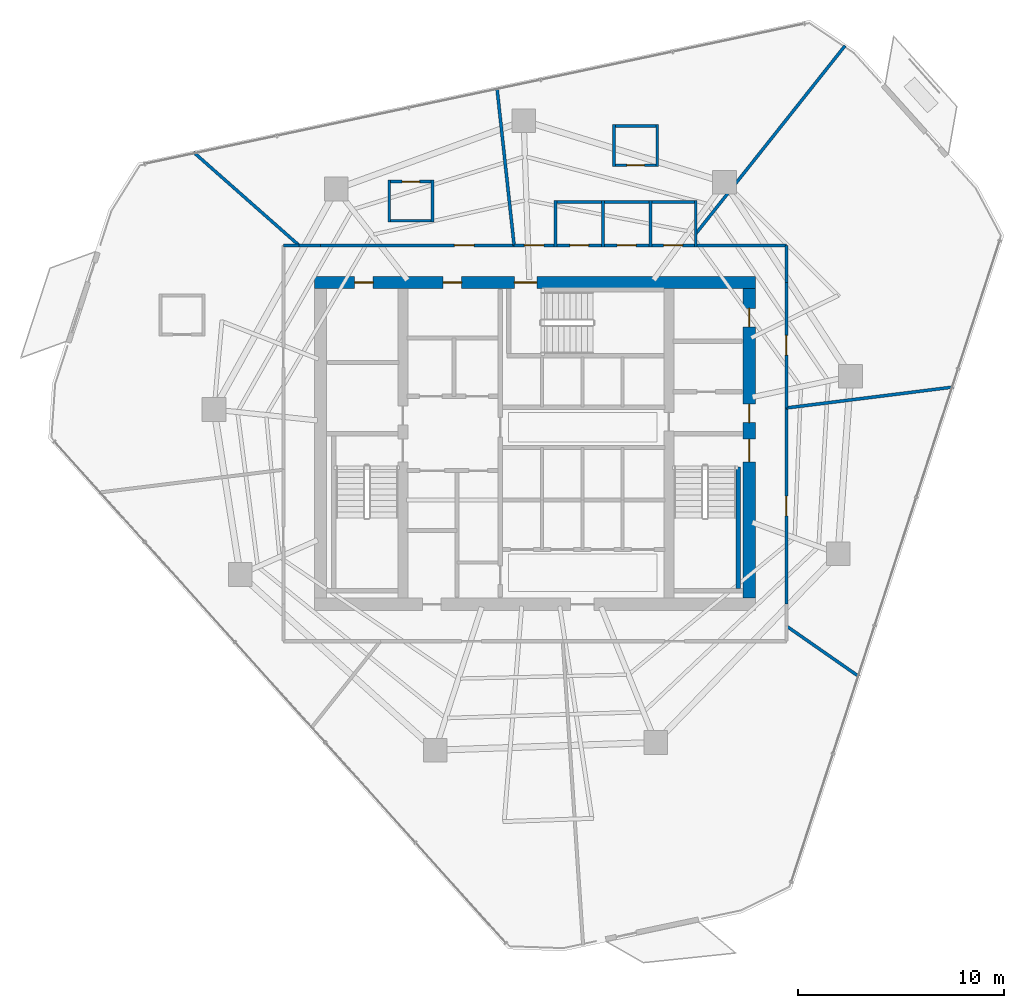
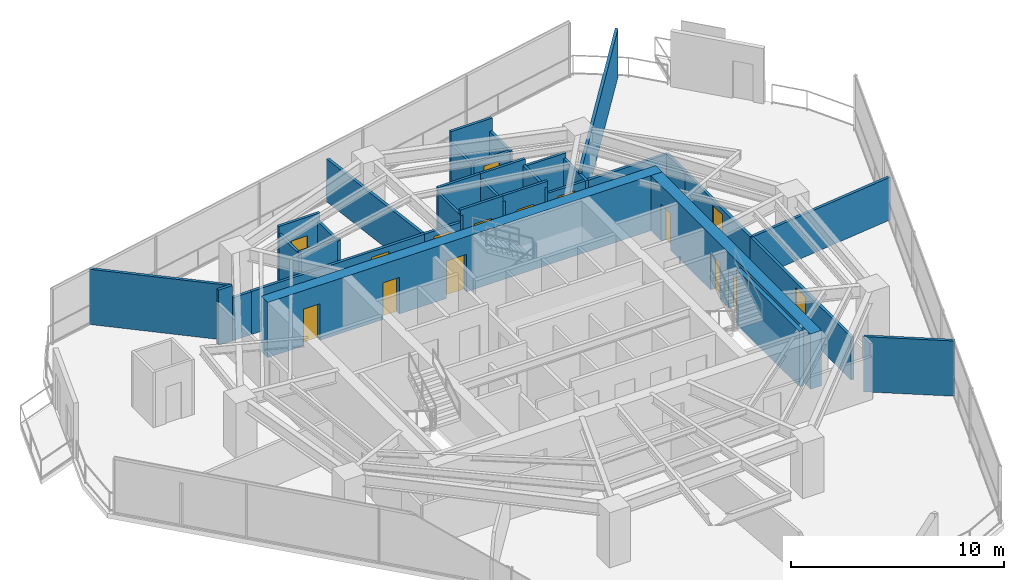
# One storey, part 24 of 27: 34 walls, 15 doors, 15 openings.
"""IFC4 building model written with IfcOpenShell, lengths in metres."""

from ifc_helpers import new_model, si_unit, direction, frame, frame_2d, origin, place, context, subcontext, project, spatial, rectangle, extrude, material, layer, layer_set, type_object, element, fill, save


model = new_model("IFC4")

# Units and contexts
model_context = context("Model", 3, precision=1e-05, world=origin(), true_north=direction((0.0, 1.0)))
body_context = subcontext(model_context, "Body", "Model", "MODEL_VIEW")
ifc_project = project(units=[si_unit("LENGTHUNIT", "METRE"), si_unit("AREAUNIT", "SQUARE_METRE"), si_unit("VOLUMEUNIT", "CUBIC_METRE"), si_unit("PLANEANGLEUNIT", "RADIAN"), si_unit("MASSUNIT", "GRAM", prefix="KILO")], contexts=[model_context])

# Site, building, storey
site_placement = place(None, origin())
site = spatial("IfcSite", under=ifc_project, at=site_placement, CompositionType="ELEMENT")
building_placement = place(site_placement, origin())
building = spatial("IfcBuilding", under=site, at=building_placement, Name="Qarnah Convention Tower", CompositionType="ELEMENT")
storey_placement = place(building_placement, frame((0.0, 0.0, 110.85009765625)))
storey = spatial("IfcBuildingStorey", under=building, at=storey_placement, Name="L29", CompositionType="ELEMENT", Elevation=110.85009765625)

# Wall, openings, doors
ifc_material_1 = material(Name="Concrete C60/75", Category="concrete")
ifc_layer_1 = layer(ifc_material_1, 0.60009765625)
ifc_layer_set_1 = layer_set([ifc_layer_1], Name="Concrete C60/75")
wall_type_1 = type_object("IfcWallType", Name="WL-CORE-600", PredefinedType="SHEAR", material=ifc_layer_set_1)
wall_1_placement = place(storey_placement, frame((26.5, 34.199951171875, 0.0), z_axis=(0.0, 0.0, 1.0), x_axis=(1.0, 0.0, 0.0)))
wall_1 = element("IfcWall", 1, at=wall_1_placement, inside=storey, type_object=wall_type_1, Name="L29 core north shear wall", PredefinedType="SHEAR", context=body_context, shape_type="SweptSolid", body=[
    extrude(rectangle(XDim=21.39990234375, YDim=0.60009765625, at=frame_2d((10.699951171875, 0.0))), origin(), (0.0, 0.0, 1.0), 3.169921875),
])
opening_1_placement = place(wall_1_placement, frame((9.699951171875, 0.0, 0.0)))
opening_1 = element("IfcOpeningElement", 2, at=opening_1_placement, cuts=wall_1, Name="Opening D-2903", PredefinedType="OPENING", context=body_context, shape_type="SweptSolid", body=[
    extrude(rectangle(XDim=1.10009765625, YDim=2.14990234375, at=frame_2d((0.550048828125, 1.074951171875))), frame((0.0, 0.31005859375, 0.0), z_axis=(0.0, -1.0, 0.0), x_axis=(1.0, 0.0, 0.0)), (0.0, 0.0, 1.0), 0.6201171875),
])
opening_2_placement = place(wall_1_placement, frame((1.949951171875, 0.0, 0.0)))
opening_2 = element("IfcOpeningElement", 3, at=opening_2_placement, cuts=wall_1, Name="Opening D-2909", PredefinedType="OPENING", context=body_context, shape_type="SweptSolid", body=[
    extrude(rectangle(XDim=0.89990234375, YDim=2.10009765625, at=frame_2d((0.449951171875, 1.050048828125))), frame((0.0, 0.31005859375, 0.0), z_axis=(0.0, -1.0, 0.0), x_axis=(1.0, 0.0, 0.0)), (0.0, 0.0, 1.0), 0.6201171875),
])
opening_3_placement = place(wall_1_placement, frame((6.25, 0.0, 0.0)))
opening_3 = element("IfcOpeningElement", 4, at=opening_3_placement, cuts=wall_1, Name="Opening D-2910", PredefinedType="OPENING", context=body_context, shape_type="SweptSolid", body=[
    extrude(rectangle(XDim=0.89990234375, YDim=2.10009765625, at=frame_2d((0.449951171875, 1.050048828125))), frame((0.0, 0.31005859375, 0.0), z_axis=(0.0, -1.0, 0.0), x_axis=(1.0, 0.0, 0.0)), (0.0, 0.0, 1.0), 0.6201171875),
])
ifc_material_2 = material(Name="Structural steel S355JR", Category="steel")
door_type_1 = type_object("IfcDoorType", Name="DT-RISER-900", OperationType="NOTDEFINED", PredefinedType="DOOR", material=ifc_material_2)
door_1_placement = place(opening_2_placement, origin())
door_1 = element("IfcDoor", 5, at=door_1_placement, inside=storey, type_object=door_type_1, Name="Door D-2909", OperationType="SINGLE_SWING_LEFT", OverallHeight=2.10009765625, OverallWidth=0.89990234375, PredefinedType="DOOR", context=body_context, shape_type="SweptSolid", body=[
    extrude(rectangle(XDim=0.89990234375, YDim=2.10009765625, at=frame_2d((0.449951171875, 1.050048828125))), frame((0.0, 0.02490234375, 0.0), z_axis=(0.0, -1.0, 0.0), x_axis=(1.0, 0.0, 0.0)), (0.0, 0.0, 1.0), 0.050048828125),
])
fill(opening_2, door_1)
door_2_placement = place(opening_3_placement, origin())
door_2 = element("IfcDoor", 6, at=door_2_placement, inside=storey, type_object=door_type_1, Name="Door D-2910", OperationType="SINGLE_SWING_RIGHT", OverallHeight=2.10009765625, OverallWidth=0.89990234375, PredefinedType="DOOR", context=body_context, shape_type="SweptSolid", body=[
    extrude(rectangle(XDim=0.89990234375, YDim=2.10009765625, at=frame_2d((0.449951171875, 1.050048828125))), frame((0.0, 0.02490234375, 0.0), z_axis=(0.0, -1.0, 0.0), x_axis=(1.0, 0.0, 0.0)), (0.0, 0.0, 1.0), 0.050048828125),
])
fill(opening_3, door_2)
door_type_2 = type_object("IfcDoorType", Name="DT-STAIR-1100", OperationType="NOTDEFINED", PredefinedType="DOOR", material=ifc_material_2)
door_3_placement = place(opening_1_placement, origin())
door_3 = element("IfcDoor", 7, at=door_3_placement, inside=storey, type_object=door_type_2, Name="Door D-2903", OperationType="SINGLE_SWING_LEFT", OverallHeight=2.14990234375, OverallWidth=1.10009765625, PredefinedType="DOOR", context=body_context, shape_type="SweptSolid", body=[
    extrude(rectangle(XDim=1.10009765625, YDim=2.14990234375, at=frame_2d((0.550048828125, 1.074951171875))), frame((0.0, 0.02490234375, 0.0), z_axis=(0.0, -1.0, 0.0), x_axis=(1.0, 0.0, 0.0)), (0.0, 0.0, 1.0), 0.050048828125),
])
fill(opening_1, door_3)

wall_2_placement = place(storey_placement, frame((47.60009765625, 18.89990234375, 0.0), z_axis=(0.0, 0.0, 1.0), x_axis=(0.0, 1.0, 0.0)))
wall_2 = element("IfcWall", 8, at=wall_2_placement, inside=storey, type_object=wall_type_1, Name="L29 core east shear wall", PredefinedType="SHEAR", context=body_context, shape_type="SweptSolid", body=[
    extrude(rectangle(XDim=15.0, YDim=0.60009765625, at=frame_2d((7.5, 0.0))), origin(), (0.0, 0.0, 1.0), 3.169921875),
])
opening_4_placement = place(wall_2_placement, frame((6.60009765625, 0.0, 0.0)))
opening_4 = element("IfcOpeningElement", 9, at=opening_4_placement, cuts=wall_2, Name="Opening D-2902", PredefinedType="OPENING", context=body_context, shape_type="SweptSolid", body=[
    extrude(rectangle(XDim=1.10009765625, YDim=2.14990234375, at=frame_2d((0.550048828125, 1.074951171875))), frame((0.0, 0.31005859375, 0.0), z_axis=(0.0, -1.0, 0.0), x_axis=(1.0, 0.0, 0.0)), (0.0, 0.0, 1.0), 0.6201171875),
])
opening_5_placement = place(wall_2_placement, frame((8.5, 0.0, 0.0)))
opening_5 = element("IfcOpeningElement", 10, at=opening_5_placement, cuts=wall_2, Name="Opening D-2906", PredefinedType="OPENING", context=body_context, shape_type="SweptSolid", body=[
    extrude(rectangle(XDim=0.89990234375, YDim=2.10009765625, at=frame_2d((0.449951171875, 1.050048828125))), frame((0.0, 0.31005859375, 0.0), z_axis=(0.0, -1.0, 0.0), x_axis=(1.0, 0.0, 0.0)), (0.0, 0.0, 1.0), 0.6201171875),
])
opening_6_placement = place(wall_2_placement, frame((13.14990234375, 0.0, 0.0)))
opening_6 = element("IfcOpeningElement", 11, at=opening_6_placement, cuts=wall_2, Name="Opening D-2912", PredefinedType="OPENING", context=body_context, shape_type="SweptSolid", body=[
    extrude(rectangle(XDim=0.89990234375, YDim=2.10009765625, at=frame_2d((0.449951171875, 1.050048828125))), frame((0.0, 0.31005859375, 0.0), z_axis=(0.0, -1.0, 0.0), x_axis=(1.0, 0.0, 0.0)), (0.0, 0.0, 1.0), 0.6201171875),
])
door_4_placement = place(opening_5_placement, origin())
door_4 = element("IfcDoor", 12, at=door_4_placement, inside=storey, type_object=door_type_1, Name="Door D-2906", OperationType="SINGLE_SWING_RIGHT", OverallHeight=2.10009765625, OverallWidth=0.89990234375, PredefinedType="DOOR", context=body_context, shape_type="SweptSolid", body=[
    extrude(rectangle(XDim=0.89990234375, YDim=2.10009765625, at=frame_2d((0.449951171875, 1.050048828125))), frame((0.0, 0.02490234375, 0.0), z_axis=(0.0, -1.0, 0.0), x_axis=(1.0, 0.0, 0.0)), (0.0, 0.0, 1.0), 0.050048828125),
])
fill(opening_5, door_4)
door_5_placement = place(opening_6_placement, origin())
door_5 = element("IfcDoor", 13, at=door_5_placement, inside=storey, type_object=door_type_1, Name="Door D-2912", OperationType="SINGLE_SWING_RIGHT", OverallHeight=2.10009765625, OverallWidth=0.89990234375, PredefinedType="DOOR", context=body_context, shape_type="SweptSolid", body=[
    extrude(rectangle(XDim=0.89990234375, YDim=2.10009765625, at=frame_2d((0.449951171875, 1.050048828125))), frame((0.0, 0.02490234375, 0.0), z_axis=(0.0, -1.0, 0.0), x_axis=(1.0, 0.0, 0.0)), (0.0, 0.0, 1.0), 0.050048828125),
])
fill(opening_6, door_5)
door_6_placement = place(opening_4_placement, origin())
door_6 = element("IfcDoor", 14, at=door_6_placement, inside=storey, type_object=door_type_2, Name="Door D-2902", OperationType="SINGLE_SWING_RIGHT", OverallHeight=2.14990234375, OverallWidth=1.10009765625, PredefinedType="DOOR", context=body_context, shape_type="SweptSolid", body=[
    extrude(rectangle(XDim=1.10009765625, YDim=2.14990234375, at=frame_2d((0.550048828125, 1.074951171875))), frame((0.0, 0.02490234375, 0.0), z_axis=(0.0, -1.0, 0.0), x_axis=(1.0, 0.0, 0.0)), (0.0, 0.0, 1.0), 0.050048828125),
])
fill(opening_4, door_6)

# Walls
ifc_layer_2 = layer(ifc_material_1, 0.219970703125)
ifc_layer_set_2 = layer_set([ifc_layer_2], Name="Concrete C60/75")
wall_type_2 = type_object("IfcWallType", Name="WL-CORE-STAIR-220", PredefinedType="SHEAR", material=ifc_layer_set_2)
wall_3_placement = place(storey_placement, frame((47.06005859375, 19.35009765625, 0.0), z_axis=(0.0, 0.0, 1.0), x_axis=(0.0, 1.0, 0.0)))
element("IfcWall", 15, at=wall_3_placement, inside=storey, type_object=wall_type_2, Name="L29 stair shaft shear wall SW-L29-ST2E", PredefinedType="SHEAR", context=body_context, shape_type="SweptSolid", body=[
    extrude(rectangle(XDim=5.89990234375, YDim=0.219970703125, at=frame_2d((2.949951171875, 0.0))), origin(), (0.0, 0.0, 1.0), 3.169921875),
])
ifc_material_3 = material(Name="Gypsum partition board")
ifc_layer_3 = layer(ifc_material_3, 0.14990234375)
ifc_layer_set_3 = layer_set([ifc_layer_3], Name="Gypsum partition board")
wall_type_3 = type_object("IfcWallType", Name="WL-SUITE-150", PredefinedType="PARTITIONING", material=ifc_layer_set_3)
wall_4_placement = place(storey_placement, frame((52.242919921875, 45.68603515625, 0.0), z_axis=(0.0, 0.0, 1.0), x_axis=(-0.621784605325, -0.783188294461, 0.0)))
element("IfcWall", 16, at=wall_4_placement, inside=storey, type_object=wall_type_3, Name="L29 interior wall IW-L29-R-23", PredefinedType="PARTITIONING", context=body_context, shape_type="SweptSolid", body=[
    extrude(rectangle(XDim=11.648681640625, YDim=0.14990234375, at=frame_2d((5.82421875, 0.0))), origin(), (0.0, 0.0, 1.0), 2.746826171875),
])
wall_5_placement = place(storey_placement, frame((45.070068359375, 36.0, 0.0), z_axis=(0.0, 0.0, 1.0), x_axis=(1.0, 0.0, 0.0)))
element("IfcWall", 17, at=wall_5_placement, inside=storey, type_object=wall_type_3, Name="L29 interior wall IW-L29-R-24", PredefinedType="PARTITIONING", context=body_context, shape_type="SweptSolid", body=[
    extrude(rectangle(XDim=4.329833984375, YDim=0.14990234375, at=frame_2d((2.1650390625, 0.0))), origin(), (0.0, 0.0, 1.0), 2.454833984375),
])
wall_6_placement = place(storey_placement, frame((49.39990234375, 36.0, 0.0), z_axis=(0.0, 0.0, 1.0), x_axis=(0.0, -1.0, 0.0)))
element("IfcWall", 18, at=wall_6_placement, inside=storey, type_object=wall_type_3, Name="L29 interior wall IW-L29-R-25", PredefinedType="PARTITIONING", context=body_context, shape_type="SweptSolid", body=[
    extrude(rectangle(XDim=1.800048828125, YDim=0.14990234375, at=frame_2d((0.89990234375, 0.0))), origin(), (0.0, 0.0, 1.0), 2.454833984375),
])

# Wall, opening, door
wall_7_placement = place(storey_placement, frame((49.39990234375, 34.199951171875, 0.0), z_axis=(0.0, 0.0, 1.0), x_axis=(0.0, -1.0, 0.0)))
wall_7 = element("IfcWall", 19, at=wall_7_placement, inside=storey, type_object=wall_type_3, Name="L29 interior wall IW-L29-R-26", PredefinedType="PARTITIONING", context=body_context, shape_type="SweptSolid", body=[
    extrude(rectangle(XDim=6.0849609375, YDim=0.14990234375, at=frame_2d((3.04248046875, 0.0))), origin(), (0.0, 0.0, 1.0), 2.454833984375),
])
opening_7_placement = place(wall_7_placement, frame((2.568115234375, 0.0, 0.0)))
opening_7 = element("IfcOpeningElement", 20, at=opening_7_placement, cuts=wall_7, Name="Opening D-2919", PredefinedType="OPENING", context=body_context, shape_type="SweptSolid", body=[
    extrude(rectangle(XDim=0.949951171875, YDim=2.14990234375, at=frame_2d((0.47509765625, 1.074951171875))), frame((0.0, 0.0849609375, 0.0), z_axis=(0.0, -1.0, 0.0), x_axis=(1.0, 0.0, 0.0)), (0.0, 0.0, 1.0), 0.169921875),
])
ifc_material_4 = material(Name="Oak timber veneer", Category="wood")
door_type_3 = type_object("IfcDoorType", Name="DT-HOTEL-950", OperationType="NOTDEFINED", PredefinedType="DOOR", material=ifc_material_4)
door_7_placement = place(opening_7_placement, origin())
door_7 = element("IfcDoor", 21, at=door_7_placement, inside=storey, type_object=door_type_3, Name="Door D-2919", OperationType="SINGLE_SWING_LEFT", OverallHeight=2.14990234375, OverallWidth=0.949951171875, PredefinedType="DOOR", context=body_context, shape_type="SweptSolid", body=[
    extrude(rectangle(XDim=0.949951171875, YDim=2.14990234375, at=frame_2d((0.47509765625, 1.074951171875))), frame((0.0, 0.02490234375, 0.0), z_axis=(0.0, -1.0, 0.0), x_axis=(1.0, 0.0, 0.0)), (0.0, 0.0, 1.0), 0.050048828125),
])
fill(opening_7, door_7)

# Walls
wall_8_placement = place(storey_placement, frame((49.39990234375, 28.114990234375, 0.0), z_axis=(0.0, 0.0, 1.0), x_axis=(0.992243266921, 0.124311299769, 0.0)))
element("IfcWall", 22, at=wall_8_placement, inside=storey, type_object=wall_type_3, Name="L29 interior wall IW-L29-R-27", PredefinedType="PARTITIONING", context=body_context, shape_type="SweptSolid", body=[
    extrude(rectangle(XDim=8.1484375, YDim=0.14990234375, at=frame_2d((4.07421875, 0.0))), origin(), (0.0, 0.0, 1.0), 2.454833984375),
])
wall_9_placement = place(storey_placement, frame((35.360107421875, 43.623046875, 0.0), z_axis=(0.0, 0.0, 1.0), x_axis=(0.108345109648, -0.994113342238, 0.0)))
element("IfcWall", 23, at=wall_9_placement, inside=storey, type_object=wall_type_3, Name="L29 interior wall IW-L29-R-28", PredefinedType="PARTITIONING", context=body_context, shape_type="SweptSolid", body=[
    extrude(rectangle(XDim=7.668212890625, YDim=0.14990234375, at=frame_2d((3.833984375, 0.0))), origin(), (0.0, 0.0, 1.0), 2.454833984375),
])

# Wall, opening, door
wall_10_placement = place(storey_placement, frame((36.19091796875, 36.0, 0.0), z_axis=(0.0, 0.0, 1.0), x_axis=(1.0, 0.0, 0.0)))
wall_10 = element("IfcWall", 24, at=wall_10_placement, inside=storey, type_object=wall_type_3, Name="L29 interior wall IW-L29-R-29", PredefinedType="PARTITIONING", context=body_context, shape_type="SweptSolid", body=[
    extrude(rectangle(XDim=1.93896484375, YDim=0.14990234375, at=frame_2d((0.969482421875, 0.0))), origin(), (0.0, 0.0, 1.0), 2.466796875),
])
opening_8_placement = place(wall_10_placement, frame((0.4951171875, 0.0, 0.0)))
opening_8 = element("IfcOpeningElement", 25, at=opening_8_placement, cuts=wall_10, Name="Opening D-2920", PredefinedType="OPENING", context=body_context, shape_type="SweptSolid", body=[
    extrude(rectangle(XDim=0.949951171875, YDim=2.14990234375, at=frame_2d((0.47509765625, 1.074951171875))), frame((0.0, 0.0849609375, 0.0), z_axis=(0.0, -1.0, 0.0), x_axis=(1.0, 0.0, 0.0)), (0.0, 0.0, 1.0), 0.169921875),
])
door_8_placement = place(opening_8_placement, origin())
door_8 = element("IfcDoor", 26, at=door_8_placement, inside=storey, type_object=door_type_3, Name="Door D-2920", OperationType="SINGLE_SWING_RIGHT", OverallHeight=2.14990234375, OverallWidth=0.949951171875, PredefinedType="DOOR", context=body_context, shape_type="SweptSolid", body=[
    extrude(rectangle(XDim=0.949951171875, YDim=2.14990234375, at=frame_2d((0.47509765625, 1.074951171875))), frame((0.0, 0.02490234375, 0.0), z_axis=(0.0, -1.0, 0.0), x_axis=(1.0, 0.0, 0.0)), (0.0, 0.0, 1.0), 0.050048828125),
])
fill(opening_8, door_8)

# Walls
wall_11_placement = place(storey_placement, frame((20.64892578125, 40.512939453125, 0.0), z_axis=(0.0, 0.0, 1.0), x_axis=(0.749545168771, -0.661953200742, 0.0)))
element("IfcWall", 27, at=wall_11_placement, inside=storey, type_object=wall_type_3, Name="L29 interior wall IW-L29-R-30", PredefinedType="PARTITIONING", context=body_context, shape_type="SweptSolid", body=[
    extrude(rectangle(XDim=6.817626953125, YDim=0.14990234375, at=frame_2d((3.40869140625, 0.0))), origin(), (0.0, 0.0, 1.0), 3.169921875),
])
wall_12_placement = place(storey_placement, frame((25.759033203125, 36.0, 0.0), z_axis=(0.0, 0.0, 1.0), x_axis=(1.0, 0.0, 0.0)))
element("IfcWall", 28, at=wall_12_placement, inside=storey, type_object=wall_type_3, Name="L29 interior wall IW-L29-R-31", PredefinedType="PARTITIONING", context=body_context, shape_type="SweptSolid", body=[
    extrude(rectangle(XDim=1.041015625, YDim=0.14990234375, at=frame_2d((0.5205078125, 0.0))), origin(), (0.0, 0.0, 1.0), 2.454833984375),
])

# Wall, opening, door
wall_13_placement = place(storey_placement, frame((26.800048828125, 36.0, 0.0), z_axis=(0.0, 0.0, 1.0), x_axis=(1.0, 0.0, 0.0)))
wall_13 = element("IfcWall", 29, at=wall_13_placement, inside=storey, type_object=wall_type_3, Name="L29 interior wall IW-L29-R-32", PredefinedType="PARTITIONING", context=body_context, shape_type="SweptSolid", body=[
    extrude(rectangle(XDim=9.390869140625, YDim=0.14990234375, at=frame_2d((4.6953125, 0.0))), origin(), (0.0, 0.0, 1.0), 2.466796875),
])
opening_9_placement = place(wall_13_placement, frame((6.4951171875, 0.0, 0.0)))
opening_9 = element("IfcOpeningElement", 30, at=opening_9_placement, cuts=wall_13, Name="Opening D-2922", PredefinedType="OPENING", context=body_context, shape_type="SweptSolid", body=[
    extrude(rectangle(XDim=0.949951171875, YDim=2.14990234375, at=frame_2d((0.47509765625, 1.074951171875))), frame((0.0, 0.0849609375, 0.0), z_axis=(0.0, -1.0, 0.0), x_axis=(1.0, 0.0, 0.0)), (0.0, 0.0, 1.0), 0.169921875),
])
door_9_placement = place(opening_9_placement, origin())
door_9 = element("IfcDoor", 31, at=door_9_placement, inside=storey, type_object=door_type_3, Name="Door D-2922", OperationType="SINGLE_SWING_RIGHT", OverallHeight=2.14990234375, OverallWidth=0.949951171875, PredefinedType="DOOR", context=body_context, shape_type="SweptSolid", body=[
    extrude(rectangle(XDim=0.949951171875, YDim=2.14990234375, at=frame_2d((0.47509765625, 1.074951171875))), frame((0.0, 0.02490234375, 0.0), z_axis=(0.0, -1.0, 0.0), x_axis=(1.0, 0.0, 0.0)), (0.0, 0.0, 1.0), 0.050048828125),
])
fill(opening_9, door_9)

# Walls
wall_14_placement = place(storey_placement, frame((25.0, 36.0, 0.0), z_axis=(0.0, 0.0, 1.0), x_axis=(1.0, 0.0, 0.0)))
element("IfcWall", 32, at=wall_14_placement, inside=storey, type_object=wall_type_3, Name="L29 interior wall IW-L29-R-35", PredefinedType="PARTITIONING", context=body_context, shape_type="SweptSolid", body=[
    extrude(rectangle(XDim=0.759033203125, YDim=0.14990234375, at=frame_2d((0.37939453125, 0.0))), origin(), (0.0, 0.0, 1.0), 3.169921875),
])
wall_15_placement = place(storey_placement, frame((52.91796875, 15.0859375, 0.0), z_axis=(0.0, 0.0, 1.0), x_axis=(-0.820620722712, 0.571473209744, 0.0)))
element("IfcWall", 33, at=wall_15_placement, inside=storey, type_object=wall_type_3, Name="L29 interior wall IW-L29-R-42", PredefinedType="PARTITIONING", context=body_context, shape_type="SweptSolid", body=[
    extrude(rectangle(XDim=4.287109375, YDim=0.14990234375, at=frame_2d((2.1435546875, 0.0))), origin(), (0.0, 0.0, 1.0), 3.169921875),
])

# Wall, opening, door
wall_16_placement = place(storey_placement, frame((49.39990234375, 28.114990234375, 0.0), z_axis=(0.0, 0.0, 1.0), x_axis=(0.0, -1.0, 0.0)))
wall_16 = element("IfcWall", 34, at=wall_16_placement, inside=storey, type_object=wall_type_3, Name="L29 interior wall IW-L29-R-45", PredefinedType="PARTITIONING", context=body_context, shape_type="SweptSolid", body=[
    extrude(rectangle(XDim=9.514892578125, YDim=0.14990234375, at=frame_2d((4.75732421875, 0.0))), origin(), (0.0, 0.0, 1.0), 2.454833984375),
])
opening_10_placement = place(wall_16_placement, frame((4.281982421875, 0.0, 0.0)))
opening_10 = element("IfcOpeningElement", 35, at=opening_10_placement, cuts=wall_16, Name="Opening D-2929", PredefinedType="OPENING", context=body_context, shape_type="SweptSolid", body=[
    extrude(rectangle(XDim=0.949951171875, YDim=2.14990234375, at=frame_2d((0.47509765625, 1.074951171875))), frame((0.0, 0.0849609375, 0.0), z_axis=(0.0, -1.0, 0.0), x_axis=(1.0, 0.0, 0.0)), (0.0, 0.0, 1.0), 0.169921875),
])
door_10_placement = place(opening_10_placement, origin())
door_10 = element("IfcDoor", 36, at=door_10_placement, inside=storey, type_object=door_type_3, Name="Door D-2929", OperationType="SINGLE_SWING_LEFT", OverallHeight=2.14990234375, OverallWidth=0.949951171875, PredefinedType="DOOR", context=body_context, shape_type="SweptSolid", body=[
    extrude(rectangle(XDim=0.949951171875, YDim=2.14990234375, at=frame_2d((0.47509765625, 1.074951171875))), frame((0.0, 0.02490234375, 0.0), z_axis=(0.0, -1.0, 0.0), x_axis=(1.0, 0.0, 0.0)), (0.0, 0.0, 1.0), 0.050048828125),
])
fill(opening_10, door_10)

ifc_layer_4 = layer(ifc_material_3, 0.139892578125)
ifc_layer_set_4 = layer_set([ifc_layer_4], Name="Gypsum partition board")
wall_type_4 = type_object("IfcWallType", Name="WL-WET-140", PredefinedType="PARTITIONING", material=ifc_layer_set_4)
wall_17_placement = place(storey_placement, frame((38.1298828125, 36.0, 0.0), z_axis=(0.0, 0.0, 1.0), x_axis=(1.0, 0.0, 0.0)))
wall_17 = element("IfcWall", 37, at=wall_17_placement, inside=storey, type_object=wall_type_4, Name="L29 interior wall IW-L29-WCM-1", PredefinedType="PARTITIONING", context=body_context, shape_type="SweptSolid", body=[
    extrude(rectangle(XDim=2.440185546875, YDim=0.139892578125, at=frame_2d((1.22021484375, 0.0))), origin(), (0.0, 0.0, 1.0), 3.169921875),
])
opening_11_placement = place(wall_17_placement, frame((0.760009765625, 0.0, 0.0)))
opening_11 = element("IfcOpeningElement", 38, at=opening_11_placement, cuts=wall_17, Name="Opening D-2916", PredefinedType="OPENING", context=body_context, shape_type="SweptSolid", body=[
    extrude(rectangle(XDim=0.919921875, YDim=2.10009765625, at=frame_2d((0.4599609375, 1.050048828125))), frame((0.0, 0.079833984375, 0.0), z_axis=(0.0, -1.0, 0.0), x_axis=(1.0, 0.0, 0.0)), (0.0, 0.0, 1.0), 0.159912109375),
])
door_type_4 = type_object("IfcDoorType", Name="DT-WC-920", OperationType="NOTDEFINED", PredefinedType="DOOR", material=ifc_material_4)
door_11_placement = place(opening_11_placement, origin())
door_11 = element("IfcDoor", 39, at=door_11_placement, inside=storey, type_object=door_type_4, Name="Door D-2916", OperationType="SINGLE_SWING_RIGHT", OverallHeight=2.10009765625, OverallWidth=0.919921875, PredefinedType="DOOR", context=body_context, shape_type="SweptSolid", body=[
    extrude(rectangle(XDim=0.919921875, YDim=2.10009765625, at=frame_2d((0.4599609375, 1.050048828125))), frame((0.0, 0.02490234375, 0.0), z_axis=(0.0, -1.0, 0.0), x_axis=(1.0, 0.0, 0.0)), (0.0, 0.0, 1.0), 0.050048828125),
])
fill(opening_11, door_11)

# Walls
wall_18_placement = place(storey_placement, frame((40.5, 35.929931640625, 0.0), z_axis=(0.0, 0.0, 1.0), x_axis=(0.0, 1.0, 0.0)))
element("IfcWall", 40, at=wall_18_placement, inside=storey, type_object=wall_type_4, Name="L29 interior wall IW-L29-WCM-2", PredefinedType="PARTITIONING", context=body_context, shape_type="SweptSolid", body=[
    extrude(rectangle(XDim=2.239990234375, YDim=0.139892578125, at=frame_2d((1.1201171875, 0.0))), origin(), (0.0, 0.0, 1.0), 2.843017578125),
])
wall_19_placement = place(storey_placement, frame((40.570068359375, 38.10009765625, 0.0), z_axis=(0.0, 0.0, 1.0), x_axis=(-1.0, 0.0, 0.0)))
element("IfcWall", 41, at=wall_19_placement, inside=storey, type_object=wall_type_4, Name="L29 interior wall IW-L29-WCM-3", PredefinedType="PARTITIONING", context=body_context, shape_type="SweptSolid", body=[
    extrude(rectangle(XDim=2.440185546875, YDim=0.139892578125, at=frame_2d((1.22021484375, 0.0))), origin(), (0.0, 0.0, 1.0), 3.169921875),
])
wall_20_placement = place(storey_placement, frame((38.199951171875, 38.169921875, 0.0), z_axis=(0.0, 0.0, 1.0), x_axis=(0.0, -1.0, 0.0)))
element("IfcWall", 42, at=wall_20_placement, inside=storey, type_object=wall_type_4, Name="L29 interior wall IW-L29-WCM-4", PredefinedType="PARTITIONING", context=body_context, shape_type="SweptSolid", body=[
    extrude(rectangle(XDim=2.239990234375, YDim=0.139892578125, at=frame_2d((1.1201171875, 0.0))), origin(), (0.0, 0.0, 1.0), 2.843017578125),
])

# Wall, opening, door
wall_21_placement = place(storey_placement, frame((40.429931640625, 36.0, 0.0), z_axis=(0.0, 0.0, 1.0), x_axis=(1.0, 0.0, 0.0)))
wall_21 = element("IfcWall", 43, at=wall_21_placement, inside=storey, type_object=wall_type_4, Name="L29 interior wall IW-L29-WCF-1", PredefinedType="PARTITIONING", context=body_context, shape_type="SweptSolid", body=[
    extrude(rectangle(XDim=2.440185546875, YDim=0.139892578125, at=frame_2d((1.22021484375, 0.0))), origin(), (0.0, 0.0, 1.0), 3.169921875),
])
opening_12_placement = place(wall_21_placement, frame((0.760009765625, 0.0, 0.0)))
opening_12 = element("IfcOpeningElement", 44, at=opening_12_placement, cuts=wall_21, Name="Opening D-2917", PredefinedType="OPENING", context=body_context, shape_type="SweptSolid", body=[
    extrude(rectangle(XDim=0.919921875, YDim=2.10009765625, at=frame_2d((0.4599609375, 1.050048828125))), frame((0.0, 0.079833984375, 0.0), z_axis=(0.0, -1.0, 0.0), x_axis=(1.0, 0.0, 0.0)), (0.0, 0.0, 1.0), 0.159912109375),
])
door_12_placement = place(opening_12_placement, origin())
door_12 = element("IfcDoor", 45, at=door_12_placement, inside=storey, type_object=door_type_4, Name="Door D-2917", OperationType="SINGLE_SWING_LEFT", OverallHeight=2.10009765625, OverallWidth=0.919921875, PredefinedType="DOOR", context=body_context, shape_type="SweptSolid", body=[
    extrude(rectangle(XDim=0.919921875, YDim=2.10009765625, at=frame_2d((0.4599609375, 1.050048828125))), frame((0.0, 0.02490234375, 0.0), z_axis=(0.0, -1.0, 0.0), x_axis=(1.0, 0.0, 0.0)), (0.0, 0.0, 1.0), 0.050048828125),
])
fill(opening_12, door_12)

# Walls
wall_22_placement = place(storey_placement, frame((42.800048828125, 35.929931640625, 0.0), z_axis=(0.0, 0.0, 1.0), x_axis=(0.0, 1.0, 0.0)))
element("IfcWall", 46, at=wall_22_placement, inside=storey, type_object=wall_type_4, Name="L29 interior wall IW-L29-WCF-2", PredefinedType="PARTITIONING", context=body_context, shape_type="SweptSolid", body=[
    extrude(rectangle(XDim=2.239990234375, YDim=0.139892578125, at=frame_2d((1.1201171875, 0.0))), origin(), (0.0, 0.0, 1.0), 2.843017578125),
])
wall_23_placement = place(storey_placement, frame((42.8701171875, 38.10009765625, 0.0), z_axis=(0.0, 0.0, 1.0), x_axis=(-1.0, 0.0, 0.0)))
element("IfcWall", 47, at=wall_23_placement, inside=storey, type_object=wall_type_4, Name="L29 interior wall IW-L29-WCF-3", PredefinedType="PARTITIONING", context=body_context, shape_type="SweptSolid", body=[
    extrude(rectangle(XDim=2.440185546875, YDim=0.139892578125, at=frame_2d((1.22021484375, 0.0))), origin(), (0.0, 0.0, 1.0), 3.169921875),
])

# Wall, opening, door
wall_24_placement = place(storey_placement, frame((42.72998046875, 36.0, 0.0), z_axis=(0.0, 0.0, 1.0), x_axis=(1.0, 0.0, 0.0)))
wall_24 = element("IfcWall", 48, at=wall_24_placement, inside=storey, type_object=wall_type_4, Name="L29 interior wall IW-L29-WCA-1", PredefinedType="PARTITIONING", context=body_context, shape_type="SweptSolid", body=[
    extrude(rectangle(XDim=2.340087890625, YDim=0.139892578125, at=frame_2d((1.169921875, 0.0))), origin(), (0.0, 0.0, 1.0), 2.466796875),
])
opening_13_placement = place(wall_24_placement, frame((0.7099609375, 0.0, 0.0)))
opening_13 = element("IfcOpeningElement", 49, at=opening_13_placement, cuts=wall_24, Name="Opening D-2918", PredefinedType="OPENING", context=body_context, shape_type="SweptSolid", body=[
    extrude(rectangle(XDim=0.919921875, YDim=2.10009765625, at=frame_2d((0.4599609375, 1.050048828125))), frame((0.0, 0.079833984375, 0.0), z_axis=(0.0, -1.0, 0.0), x_axis=(1.0, 0.0, 0.0)), (0.0, 0.0, 1.0), 0.159912109375),
])
door_13_placement = place(opening_13_placement, origin())
door_13 = element("IfcDoor", 50, at=door_13_placement, inside=storey, type_object=door_type_4, Name="Door D-2918", OperationType="SINGLE_SWING_RIGHT", OverallHeight=2.10009765625, OverallWidth=0.919921875, PredefinedType="DOOR", context=body_context, shape_type="SweptSolid", body=[
    extrude(rectangle(XDim=0.919921875, YDim=2.10009765625, at=frame_2d((0.4599609375, 1.050048828125))), frame((0.0, 0.02490234375, 0.0), z_axis=(0.0, -1.0, 0.0), x_axis=(1.0, 0.0, 0.0)), (0.0, 0.0, 1.0), 0.050048828125),
])
fill(opening_13, door_13)

# Walls
wall_25_placement = place(storey_placement, frame((45.0, 35.929931640625, 0.0), z_axis=(0.0, 0.0, 1.0), x_axis=(0.0, 1.0, 0.0)))
element("IfcWall", 51, at=wall_25_placement, inside=storey, type_object=wall_type_4, Name="L29 interior wall IW-L29-WCA-2", PredefinedType="PARTITIONING", context=body_context, shape_type="SweptSolid", body=[
    extrude(rectangle(XDim=2.239990234375, YDim=0.139892578125, at=frame_2d((1.1201171875, 0.0))), origin(), (0.0, 0.0, 1.0), 2.466796875),
])
wall_26_placement = place(storey_placement, frame((45.070068359375, 38.10009765625, 0.0), z_axis=(0.0, 0.0, 1.0), x_axis=(-1.0, 0.0, 0.0)))
element("IfcWall", 52, at=wall_26_placement, inside=storey, type_object=wall_type_4, Name="L29 interior wall IW-L29-WCA-3", PredefinedType="PARTITIONING", context=body_context, shape_type="SweptSolid", body=[
    extrude(rectangle(XDim=2.340087890625, YDim=0.139892578125, at=frame_2d((1.169921875, 0.0))), origin(), (0.0, 0.0, 1.0), 2.746826171875),
])

# Wall, opening, door
wall_27_placement = place(storey_placement, frame((40.9599609375, 39.884033203125, 0.0), z_axis=(0.0, 0.0, 1.0), x_axis=(1.0, 0.0, 0.0)))
wall_27 = element("IfcWall", 53, at=wall_27_placement, inside=storey, type_object=wall_type_4, Name="L29 interior wall IW-L29-ENS01-1", PredefinedType="PARTITIONING", context=body_context, shape_type="SweptSolid", body=[
    extrude(rectangle(XDim=2.239990234375, YDim=0.139892578125, at=frame_2d((1.1201171875, 0.0))), origin(), (0.0, 0.0, 1.0), 2.454833984375),
])
opening_14_placement = place(wall_27_placement, frame((0.695068359375, 0.0, 0.0)))
opening_14 = element("IfcOpeningElement", 54, at=opening_14_placement, cuts=wall_27, Name="Opening D-2921", PredefinedType="OPENING", context=body_context, shape_type="SweptSolid", body=[
    extrude(rectangle(XDim=0.85009765625, YDim=2.10009765625, at=frame_2d((0.425048828125, 1.050048828125))), frame((0.0, 0.079833984375, 0.0), z_axis=(0.0, -1.0, 0.0), x_axis=(1.0, 0.0, 0.0)), (0.0, 0.0, 1.0), 0.159912109375),
])
door_type_5 = type_object("IfcDoorType", Name="DT-BATH-850", OperationType="NOTDEFINED", PredefinedType="DOOR", material=ifc_material_4)
door_14_placement = place(opening_14_placement, origin())
door_14 = element("IfcDoor", 55, at=door_14_placement, inside=storey, type_object=door_type_5, Name="Door D-2921", OperationType="SINGLE_SWING_LEFT", OverallHeight=2.10009765625, OverallWidth=0.85009765625, PredefinedType="DOOR", context=body_context, shape_type="SweptSolid", body=[
    extrude(rectangle(XDim=0.85009765625, YDim=2.10009765625, at=frame_2d((0.425048828125, 1.050048828125))), frame((0.0, 0.02490234375, 0.0), z_axis=(0.0, -1.0, 0.0), x_axis=(1.0, 0.0, 0.0)), (0.0, 0.0, 1.0), 0.050048828125),
])
fill(opening_14, door_14)

# Walls
wall_28_placement = place(storey_placement, frame((43.1298828125, 39.81396484375, 0.0), z_axis=(0.0, 0.0, 1.0), x_axis=(0.0, 1.0, 0.0)))
element("IfcWall", 56, at=wall_28_placement, inside=storey, type_object=wall_type_4, Name="L29 interior wall IW-L29-ENS01-2", PredefinedType="PARTITIONING", context=body_context, shape_type="SweptSolid", body=[
    extrude(rectangle(XDim=2.0400390625, YDim=0.139892578125, at=frame_2d((1.02001953125, 0.0))), origin(), (0.0, 0.0, 1.0), 2.454833984375),
])
wall_29_placement = place(storey_placement, frame((43.199951171875, 41.783935546875, 0.0), z_axis=(0.0, 0.0, 1.0), x_axis=(-1.0, 0.0, 0.0)))
element("IfcWall", 57, at=wall_29_placement, inside=storey, type_object=wall_type_4, Name="L29 interior wall IW-L29-ENS01-3", PredefinedType="PARTITIONING", context=body_context, shape_type="SweptSolid", body=[
    extrude(rectangle(XDim=2.239990234375, YDim=0.139892578125, at=frame_2d((1.1201171875, 0.0))), origin(), (0.0, 0.0, 1.0), 3.169921875),
])
wall_30_placement = place(storey_placement, frame((41.030029296875, 41.85400390625, 0.0), z_axis=(0.0, 0.0, 1.0), x_axis=(0.0, -1.0, 0.0)))
element("IfcWall", 58, at=wall_30_placement, inside=storey, type_object=wall_type_4, Name="L29 interior wall IW-L29-ENS01-4", PredefinedType="PARTITIONING", context=body_context, shape_type="SweptSolid", body=[
    extrude(rectangle(XDim=2.0400390625, YDim=0.139892578125, at=frame_2d((1.02001953125, 0.0))), origin(), (0.0, 0.0, 1.0), 2.454833984375),
])
wall_31_placement = place(storey_placement, frame((30.06396484375, 37.195068359375, 0.0), z_axis=(0.0, 0.0, 1.0), x_axis=(1.0, 0.0, 0.0)))
element("IfcWall", 59, at=wall_31_placement, inside=storey, type_object=wall_type_4, Name="L29 interior wall IW-L29-ENS02-1", PredefinedType="PARTITIONING", context=body_context, shape_type="SweptSolid", body=[
    extrude(rectangle(XDim=2.239990234375, YDim=0.139892578125, at=frame_2d((1.1201171875, 0.0))), origin(), (0.0, 0.0, 1.0), 2.843017578125),
])
wall_32_placement = place(storey_placement, frame((32.23388671875, 37.125, 0.0), z_axis=(0.0, 0.0, 1.0), x_axis=(0.0, 1.0, 0.0)))
element("IfcWall", 60, at=wall_32_placement, inside=storey, type_object=wall_type_4, Name="L29 interior wall IW-L29-ENS02-2", PredefinedType="PARTITIONING", context=body_context, shape_type="SweptSolid", body=[
    extrude(rectangle(XDim=2.0400390625, YDim=0.139892578125, at=frame_2d((1.02001953125, 0.0))), origin(), (0.0, 0.0, 1.0), 2.746826171875),
])

# Wall, opening, door
wall_33_placement = place(storey_placement, frame((32.303955078125, 39.094970703125, 0.0), z_axis=(0.0, 0.0, 1.0), x_axis=(-1.0, 0.0, 0.0)))
wall_33 = element("IfcWall", 61, at=wall_33_placement, inside=storey, type_object=wall_type_4, Name="L29 interior wall IW-L29-ENS02-3", PredefinedType="PARTITIONING", context=body_context, shape_type="SweptSolid", body=[
    extrude(rectangle(XDim=2.239990234375, YDim=0.139892578125, at=frame_2d((1.1201171875, 0.0))), origin(), (0.0, 0.0, 1.0), 3.169921875),
])
opening_15_placement = place(wall_33_placement, frame((0.695068359375, 0.0, 0.0)))
opening_15 = element("IfcOpeningElement", 62, at=opening_15_placement, cuts=wall_33, Name="Opening D-2923", PredefinedType="OPENING", context=body_context, shape_type="SweptSolid", body=[
    extrude(rectangle(XDim=0.85009765625, YDim=2.10009765625, at=frame_2d((0.425048828125, 1.050048828125))), frame((0.0, 0.079833984375, 0.0), z_axis=(0.0, -1.0, 0.0), x_axis=(1.0, 0.0, 0.0)), (0.0, 0.0, 1.0), 0.159912109375),
])
door_15_placement = place(opening_15_placement, origin())
door_15 = element("IfcDoor", 63, at=door_15_placement, inside=storey, type_object=door_type_5, Name="Door D-2923", OperationType="SINGLE_SWING_LEFT", OverallHeight=2.10009765625, OverallWidth=0.85009765625, PredefinedType="DOOR", context=body_context, shape_type="SweptSolid", body=[
    extrude(rectangle(XDim=0.85009765625, YDim=2.10009765625, at=frame_2d((0.425048828125, 1.050048828125))), frame((0.0, 0.02490234375, 0.0), z_axis=(0.0, -1.0, 0.0), x_axis=(1.0, 0.0, 0.0)), (0.0, 0.0, 1.0), 0.050048828125),
])
fill(opening_15, door_15)

# Wall
wall_34_placement = place(storey_placement, frame((30.134033203125, 39.1650390625, 0.0), z_axis=(0.0, 0.0, 1.0), x_axis=(0.0, -1.0, 0.0)))
element("IfcWall", 64, at=wall_34_placement, inside=storey, type_object=wall_type_4, Name="L29 interior wall IW-L29-ENS02-4", PredefinedType="PARTITIONING", context=body_context, shape_type="SweptSolid", body=[
    extrude(rectangle(XDim=2.0400390625, YDim=0.139892578125, at=frame_2d((1.02001953125, 0.0))), origin(), (0.0, 0.0, 1.0), 2.746826171875),
])

save(model, "model.ifc")
